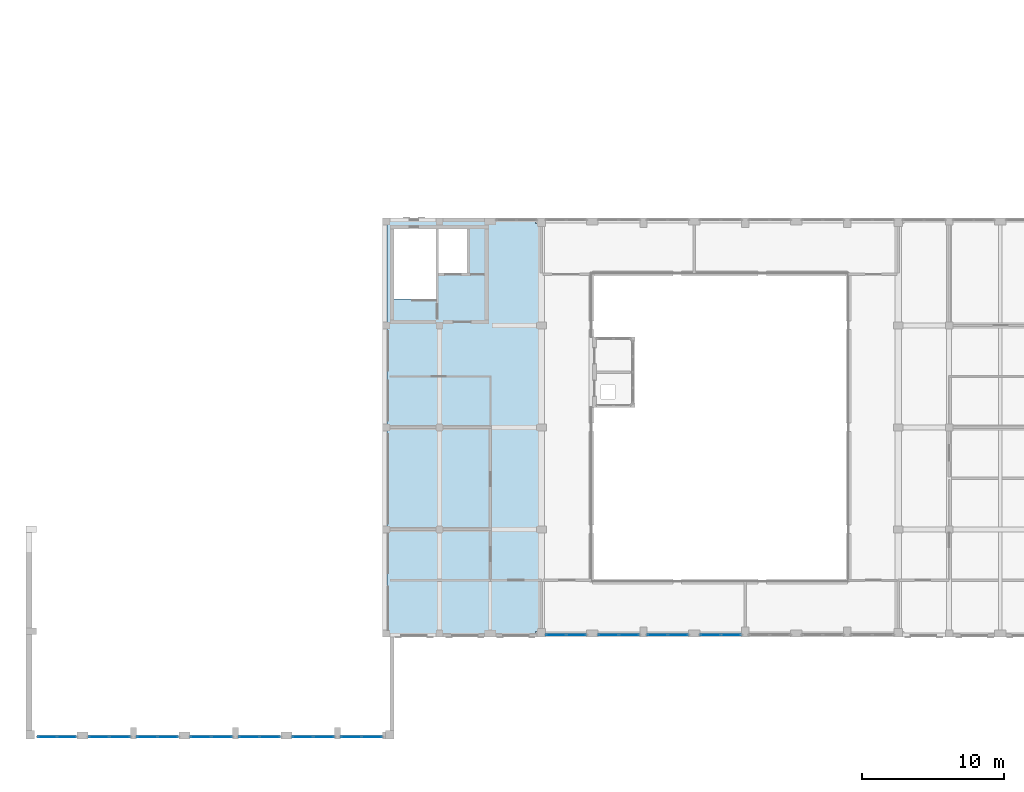
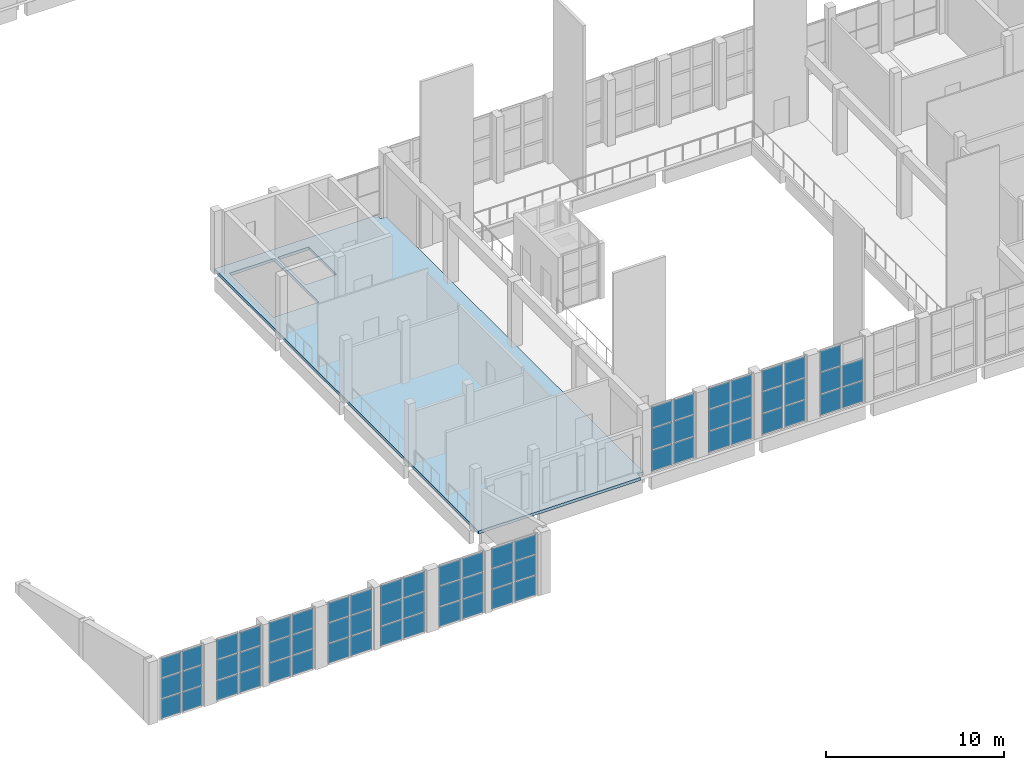
# One storey, part 14 of 54: 65 plates, 1 slab, 11 elements without a shape of their own.
"""IFC4 building model written with IfcOpenShell, lengths in metres."""

from ifc_helpers import new_model, si_unit, direction, frame, origin, origin_2d, place, context, subcontext, project, spatial, polyline, rectangle, outline, extrude, material, layer, layer_set, type_object, element, aggregate, save


model = new_model("IFC4")

# Units and contexts
model_context = context("Model", 3, precision=1e-05, world=origin(), true_north=direction((0.0, 1.0)))
body_context = subcontext(model_context, "Body", "Model", "MODEL_VIEW")
ifc_project = project(units=[si_unit("LENGTHUNIT", "METRE"), si_unit("AREAUNIT", "SQUARE_METRE"), si_unit("VOLUMEUNIT", "CUBIC_METRE"), si_unit("PLANEANGLEUNIT", "RADIAN"), si_unit("MASSUNIT", "GRAM", prefix="KILO")], contexts=[model_context])

# Site, building, storey
site_placement = place(None, origin())
site = spatial("IfcSite", under=ifc_project, at=site_placement, CompositionType="ELEMENT")
building_placement = place(site_placement, origin())
building = spatial("IfcBuilding", under=site, at=building_placement, Name="Ussher Court Research Institute", CompositionType="ELEMENT")
storey_placement = place(building_placement, frame((0.0, 0.0, 14.39990234375)))
storey = spatial("IfcBuildingStorey", under=building, at=storey_placement, Name="L03", CompositionType="ELEMENT", Elevation=14.39990234375)

# Slab
ifc_material_1 = material(Name="Concrete C35/45", Category="concrete")
ifc_layer_1 = layer(ifc_material_1, 0.199951171875)
ifc_layer_set_1 = layer_set([ifc_layer_1], Name="Concrete C35/45")
slab_type = type_object("IfcSlabType", Name="Floor slab 200", PredefinedType="FLOOR", material=ifc_layer_set_1)
slab_placement = place(storey_placement, frame((0.0, 0.0, -0.199951171875)))
element("IfcSlab", 1, at=slab_placement, inside=storey, type_object=slab_type, Name="FS200 V7 L03-02", PredefinedType="FLOOR", context=body_context, shape_type="SweptSolid", body=[
    extrude(outline(polyline([(39.0, 40.0), (38.60009765625, 40.0), (38.60009765625, 40.39990234375), (28.10009765625, 40.39990234375), (28.10009765625, 10.800048828125), (38.60009765625, 10.800048828125), (38.60009765625, 11.199951171875), (39.0, 11.199951171875), (39.0, 40.0)]), holes=[polyline([(31.550048828125, 34.64990234375), (28.60009765625, 34.64990234375), (28.60009765625, 39.60009765625), (31.550048828125, 39.60009765625), (31.550048828125, 34.64990234375)]), polyline([(33.75, 39.60009765625), (33.75, 36.5), (31.75, 36.5), (31.75, 39.60009765625), (33.75, 39.60009765625)])]), origin(), (0.0, 0.0, 1.0), 0.199951171875),
])

# Curtain wall, plates
ifc_material_2 = material(Name="Bronze anodised aluminium with low-e glass", Category="aluminium")
ifc_layer_2 = layer(ifc_material_2, 0.159912109375)
ifc_layer_set_2 = layer_set([ifc_layer_2], Name="Bronze anodised aluminium with low-e glass")
curtain_wall_type_1 = type_object("IfcCurtainWallType", Name="Curtain wall lecture theatre gable glazing", PredefinedType="NOTDEFINED", material=ifc_layer_set_2)
curtain_wall_1_placement = place(storey_placement, origin())
curtain_wall_1 = element("IfcCurtainWall", 2, at=curtain_wall_1_placement, inside=storey, type_object=curtain_wall_type_1, Name="Curtain wall CW5 L03", PredefinedType="NOTDEFINED")
ifc_material_3 = material(Name="Double glazed unit laminated")
ifc_layer_3 = layer(ifc_material_3, 0.035888671875)
ifc_layer_set_3 = layer_set([ifc_layer_3], Name="Double glazed unit laminated")
plate_type = type_object("IfcPlateType", Name="Glazing panel 36 mm", PredefinedType="CURTAIN_PANEL", material=ifc_layer_set_3)
plate_1_placement = place(storey_placement, frame((27.034912109375, 3.75, 0.06005859375), z_axis=(0.0, 0.0, 1.0), x_axis=(-1.0, 0.0, 0.0)))
plate_1 = element("IfcPlate", 3, at=plate_1_placement, type_object=plate_type, Name="CW5 panel 1.1", PredefinedType="CURTAIN_PANEL", context=body_context, shape_type="SweptSolid", body=[
    extrude(rectangle(XDim=1.409912109375, YDim=0.035888671875, at=origin_2d()), origin(), (0.0, 0.0, 1.0), 1.32666015625),
])
plate_2_placement = place(storey_placement, frame((27.034912109375, 3.75, 1.44677734375), z_axis=(0.0, 0.0, 1.0), x_axis=(-1.0, 0.0, 0.0)))
plate_2 = element("IfcPlate", 4, at=plate_2_placement, type_object=plate_type, Name="CW5 panel 1.2", PredefinedType="CURTAIN_PANEL", context=body_context, shape_type="SweptSolid", body=[
    extrude(rectangle(XDim=1.409912109375, YDim=0.035888671875, at=origin_2d()), origin(), (0.0, 0.0, 1.0), 1.356689453125),
])
plate_3_placement = place(storey_placement, frame((27.034912109375, 3.75, 2.863525390625), z_axis=(0.0, 0.0, 1.0), x_axis=(-1.0, 0.0, 0.0)))
plate_3 = element("IfcPlate", 5, at=plate_3_placement, type_object=plate_type, Name="CW5 panel 1.3", PredefinedType="CURTAIN_PANEL", context=body_context, shape_type="SweptSolid", body=[
    extrude(rectangle(XDim=1.409912109375, YDim=0.035888671875, at=origin_2d()), origin(), (0.0, 0.0, 1.0), 1.32666015625),
])
plate_4_placement = place(storey_placement, frame((25.56494140625, 3.75, 0.06005859375), z_axis=(0.0, 0.0, 1.0), x_axis=(-1.0, 0.0, 0.0)))
plate_4 = element("IfcPlate", 6, at=plate_4_placement, type_object=plate_type, Name="CW5 panel 2.1", PredefinedType="CURTAIN_PANEL", context=body_context, shape_type="SweptSolid", body=[
    extrude(rectangle(XDim=1.409912109375, YDim=0.035888671875, at=origin_2d()), origin(), (0.0, 0.0, 1.0), 1.32666015625),
])
plate_5_placement = place(storey_placement, frame((25.56494140625, 3.75, 1.44677734375), z_axis=(0.0, 0.0, 1.0), x_axis=(-1.0, 0.0, 0.0)))
plate_5 = element("IfcPlate", 7, at=plate_5_placement, type_object=plate_type, Name="CW5 panel 2.2", PredefinedType="CURTAIN_PANEL", context=body_context, shape_type="SweptSolid", body=[
    extrude(rectangle(XDim=1.409912109375, YDim=0.035888671875, at=origin_2d()), origin(), (0.0, 0.0, 1.0), 1.356689453125),
])
plate_6_placement = place(storey_placement, frame((25.56494140625, 3.75, 2.863525390625), z_axis=(0.0, 0.0, 1.0), x_axis=(-1.0, 0.0, 0.0)))
plate_6 = element("IfcPlate", 8, at=plate_6_placement, type_object=plate_type, Name="CW5 panel 2.3", PredefinedType="CURTAIN_PANEL", context=body_context, shape_type="SweptSolid", body=[
    extrude(rectangle(XDim=1.409912109375, YDim=0.035888671875, at=origin_2d()), origin(), (0.0, 0.0, 1.0), 1.32666015625),
])
aggregate(curtain_wall_1, [plate_1, plate_2, plate_3, plate_4, plate_5, plate_6])

curtain_wall_2_placement = place(storey_placement, origin())
curtain_wall_2 = element("IfcCurtainWall", 9, at=curtain_wall_2_placement, inside=storey, type_object=curtain_wall_type_1, Name="Curtain wall CW5 L03", PredefinedType="NOTDEFINED")
plate_7_placement = place(storey_placement, frame((23.635009765625, 3.75, 0.06005859375), z_axis=(0.0, 0.0, 1.0), x_axis=(-1.0, 0.0, 0.0)))
plate_7 = element("IfcPlate", 10, at=plate_7_placement, type_object=plate_type, Name="CW5 panel 1.1", PredefinedType="CURTAIN_PANEL", context=body_context, shape_type="SweptSolid", body=[
    extrude(rectangle(XDim=1.409912109375, YDim=0.035888671875, at=origin_2d()), origin(), (0.0, 0.0, 1.0), 1.32666015625),
])
plate_8_placement = place(storey_placement, frame((23.635009765625, 3.75, 1.44677734375), z_axis=(0.0, 0.0, 1.0), x_axis=(-1.0, 0.0, 0.0)))
plate_8 = element("IfcPlate", 11, at=plate_8_placement, type_object=plate_type, Name="CW5 panel 1.2", PredefinedType="CURTAIN_PANEL", context=body_context, shape_type="SweptSolid", body=[
    extrude(rectangle(XDim=1.409912109375, YDim=0.035888671875, at=origin_2d()), origin(), (0.0, 0.0, 1.0), 1.356689453125),
])
plate_9_placement = place(storey_placement, frame((23.635009765625, 3.75, 2.863525390625), z_axis=(0.0, 0.0, 1.0), x_axis=(-1.0, 0.0, 0.0)))
plate_9 = element("IfcPlate", 12, at=plate_9_placement, type_object=plate_type, Name="CW5 panel 1.3", PredefinedType="CURTAIN_PANEL", context=body_context, shape_type="SweptSolid", body=[
    extrude(rectangle(XDim=1.409912109375, YDim=0.035888671875, at=origin_2d()), origin(), (0.0, 0.0, 1.0), 1.32666015625),
])
plate_10_placement = place(storey_placement, frame((22.1650390625, 3.75, 0.06005859375), z_axis=(0.0, 0.0, 1.0), x_axis=(-1.0, 0.0, 0.0)))
plate_10 = element("IfcPlate", 13, at=plate_10_placement, type_object=plate_type, Name="CW5 panel 2.1", PredefinedType="CURTAIN_PANEL", context=body_context, shape_type="SweptSolid", body=[
    extrude(rectangle(XDim=1.409912109375, YDim=0.035888671875, at=origin_2d()), origin(), (0.0, 0.0, 1.0), 1.32666015625),
])
plate_11_placement = place(storey_placement, frame((22.1650390625, 3.75, 1.44677734375), z_axis=(0.0, 0.0, 1.0), x_axis=(-1.0, 0.0, 0.0)))
plate_11 = element("IfcPlate", 14, at=plate_11_placement, type_object=plate_type, Name="CW5 panel 2.2", PredefinedType="CURTAIN_PANEL", context=body_context, shape_type="SweptSolid", body=[
    extrude(rectangle(XDim=1.409912109375, YDim=0.035888671875, at=origin_2d()), origin(), (0.0, 0.0, 1.0), 1.356689453125),
])
plate_12_placement = place(storey_placement, frame((22.1650390625, 3.75, 2.863525390625), z_axis=(0.0, 0.0, 1.0), x_axis=(-1.0, 0.0, 0.0)))
plate_12 = element("IfcPlate", 15, at=plate_12_placement, type_object=plate_type, Name="CW5 panel 2.3", PredefinedType="CURTAIN_PANEL", context=body_context, shape_type="SweptSolid", body=[
    extrude(rectangle(XDim=1.409912109375, YDim=0.035888671875, at=origin_2d()), origin(), (0.0, 0.0, 1.0), 1.32666015625),
])
aggregate(curtain_wall_2, [plate_7, plate_8, plate_9, plate_10, plate_11, plate_12])

curtain_wall_3_placement = place(storey_placement, origin())
curtain_wall_3 = element("IfcCurtainWall", 16, at=curtain_wall_3_placement, inside=storey, type_object=curtain_wall_type_1, Name="Curtain wall CW5 L03", PredefinedType="NOTDEFINED")
plate_13_placement = place(storey_placement, frame((19.8349609375, 3.75, 0.06005859375), z_axis=(0.0, 0.0, 1.0), x_axis=(-1.0, 0.0, 0.0)))
plate_13 = element("IfcPlate", 17, at=plate_13_placement, type_object=plate_type, Name="CW5 panel 1.1", PredefinedType="CURTAIN_PANEL", context=body_context, shape_type="SweptSolid", body=[
    extrude(rectangle(XDim=1.409912109375, YDim=0.035888671875, at=origin_2d()), origin(), (0.0, 0.0, 1.0), 1.32666015625),
])
plate_14_placement = place(storey_placement, frame((19.8349609375, 3.75, 1.44677734375), z_axis=(0.0, 0.0, 1.0), x_axis=(-1.0, 0.0, 0.0)))
plate_14 = element("IfcPlate", 18, at=plate_14_placement, type_object=plate_type, Name="CW5 panel 1.2", PredefinedType="CURTAIN_PANEL", context=body_context, shape_type="SweptSolid", body=[
    extrude(rectangle(XDim=1.409912109375, YDim=0.035888671875, at=origin_2d()), origin(), (0.0, 0.0, 1.0), 1.356689453125),
])
plate_15_placement = place(storey_placement, frame((19.8349609375, 3.75, 2.863525390625), z_axis=(0.0, 0.0, 1.0), x_axis=(-1.0, 0.0, 0.0)))
plate_15 = element("IfcPlate", 19, at=plate_15_placement, type_object=plate_type, Name="CW5 panel 1.3", PredefinedType="CURTAIN_PANEL", context=body_context, shape_type="SweptSolid", body=[
    extrude(rectangle(XDim=1.409912109375, YDim=0.035888671875, at=origin_2d()), origin(), (0.0, 0.0, 1.0), 1.32666015625),
])
plate_16_placement = place(storey_placement, frame((18.364990234375, 3.75, 0.06005859375), z_axis=(0.0, 0.0, 1.0), x_axis=(-1.0, 0.0, 0.0)))
plate_16 = element("IfcPlate", 20, at=plate_16_placement, type_object=plate_type, Name="CW5 panel 2.1", PredefinedType="CURTAIN_PANEL", context=body_context, shape_type="SweptSolid", body=[
    extrude(rectangle(XDim=1.409912109375, YDim=0.035888671875, at=origin_2d()), origin(), (0.0, 0.0, 1.0), 1.32666015625),
])
plate_17_placement = place(storey_placement, frame((18.364990234375, 3.75, 1.44677734375), z_axis=(0.0, 0.0, 1.0), x_axis=(-1.0, 0.0, 0.0)))
plate_17 = element("IfcPlate", 21, at=plate_17_placement, type_object=plate_type, Name="CW5 panel 2.2", PredefinedType="CURTAIN_PANEL", context=body_context, shape_type="SweptSolid", body=[
    extrude(rectangle(XDim=1.409912109375, YDim=0.035888671875, at=origin_2d()), origin(), (0.0, 0.0, 1.0), 1.356689453125),
])
plate_18_placement = place(storey_placement, frame((18.364990234375, 3.75, 2.863525390625), z_axis=(0.0, 0.0, 1.0), x_axis=(-1.0, 0.0, 0.0)))
plate_18 = element("IfcPlate", 22, at=plate_18_placement, type_object=plate_type, Name="CW5 panel 2.3", PredefinedType="CURTAIN_PANEL", context=body_context, shape_type="SweptSolid", body=[
    extrude(rectangle(XDim=1.409912109375, YDim=0.035888671875, at=origin_2d()), origin(), (0.0, 0.0, 1.0), 1.32666015625),
])
aggregate(curtain_wall_3, [plate_13, plate_14, plate_15, plate_16, plate_17, plate_18])

curtain_wall_4_placement = place(storey_placement, origin())
curtain_wall_4 = element("IfcCurtainWall", 23, at=curtain_wall_4_placement, inside=storey, type_object=curtain_wall_type_1, Name="Curtain wall CW5 L03", PredefinedType="NOTDEFINED")
plate_19_placement = place(storey_placement, frame((16.43505859375, 3.75, 0.06005859375), z_axis=(0.0, 0.0, 1.0), x_axis=(-1.0, 0.0, 0.0)))
plate_19 = element("IfcPlate", 24, at=plate_19_placement, type_object=plate_type, Name="CW5 panel 1.1", PredefinedType="CURTAIN_PANEL", context=body_context, shape_type="SweptSolid", body=[
    extrude(rectangle(XDim=1.409912109375, YDim=0.035888671875, at=origin_2d()), origin(), (0.0, 0.0, 1.0), 1.32666015625),
])
plate_20_placement = place(storey_placement, frame((16.43505859375, 3.75, 1.44677734375), z_axis=(0.0, 0.0, 1.0), x_axis=(-1.0, 0.0, 0.0)))
plate_20 = element("IfcPlate", 25, at=plate_20_placement, type_object=plate_type, Name="CW5 panel 1.2", PredefinedType="CURTAIN_PANEL", context=body_context, shape_type="SweptSolid", body=[
    extrude(rectangle(XDim=1.409912109375, YDim=0.035888671875, at=origin_2d()), origin(), (0.0, 0.0, 1.0), 1.356689453125),
])
plate_21_placement = place(storey_placement, frame((16.43505859375, 3.75, 2.863525390625), z_axis=(0.0, 0.0, 1.0), x_axis=(-1.0, 0.0, 0.0)))
plate_21 = element("IfcPlate", 26, at=plate_21_placement, type_object=plate_type, Name="CW5 panel 1.3", PredefinedType="CURTAIN_PANEL", context=body_context, shape_type="SweptSolid", body=[
    extrude(rectangle(XDim=1.409912109375, YDim=0.035888671875, at=origin_2d()), origin(), (0.0, 0.0, 1.0), 1.32666015625),
])
plate_22_placement = place(storey_placement, frame((14.965087890625, 3.75, 0.06005859375), z_axis=(0.0, 0.0, 1.0), x_axis=(-1.0, 0.0, 0.0)))
plate_22 = element("IfcPlate", 27, at=plate_22_placement, type_object=plate_type, Name="CW5 panel 2.1", PredefinedType="CURTAIN_PANEL", context=body_context, shape_type="SweptSolid", body=[
    extrude(rectangle(XDim=1.409912109375, YDim=0.035888671875, at=origin_2d()), origin(), (0.0, 0.0, 1.0), 1.32666015625),
])
plate_23_placement = place(storey_placement, frame((14.965087890625, 3.75, 1.44677734375), z_axis=(0.0, 0.0, 1.0), x_axis=(-1.0, 0.0, 0.0)))
plate_23 = element("IfcPlate", 28, at=plate_23_placement, type_object=plate_type, Name="CW5 panel 2.2", PredefinedType="CURTAIN_PANEL", context=body_context, shape_type="SweptSolid", body=[
    extrude(rectangle(XDim=1.409912109375, YDim=0.035888671875, at=origin_2d()), origin(), (0.0, 0.0, 1.0), 1.356689453125),
])
plate_24_placement = place(storey_placement, frame((14.965087890625, 3.75, 2.863525390625), z_axis=(0.0, 0.0, 1.0), x_axis=(-1.0, 0.0, 0.0)))
plate_24 = element("IfcPlate", 29, at=plate_24_placement, type_object=plate_type, Name="CW5 panel 2.3", PredefinedType="CURTAIN_PANEL", context=body_context, shape_type="SweptSolid", body=[
    extrude(rectangle(XDim=1.409912109375, YDim=0.035888671875, at=origin_2d()), origin(), (0.0, 0.0, 1.0), 1.32666015625),
])
aggregate(curtain_wall_4, [plate_19, plate_20, plate_21, plate_22, plate_23, plate_24])

curtain_wall_5_placement = place(storey_placement, origin())
curtain_wall_5 = element("IfcCurtainWall", 30, at=curtain_wall_5_placement, inside=storey, type_object=curtain_wall_type_1, Name="Curtain wall CW5 L03", PredefinedType="NOTDEFINED")
plate_25_placement = place(storey_placement, frame((12.635009765625, 3.75, 0.06005859375), z_axis=(0.0, 0.0, 1.0), x_axis=(-1.0, 0.0, 0.0)))
plate_25 = element("IfcPlate", 31, at=plate_25_placement, type_object=plate_type, Name="CW5 panel 1.1", PredefinedType="CURTAIN_PANEL", context=body_context, shape_type="SweptSolid", body=[
    extrude(rectangle(XDim=1.409912109375, YDim=0.035888671875, at=origin_2d()), origin(), (0.0, 0.0, 1.0), 1.32666015625),
])
plate_26_placement = place(storey_placement, frame((12.635009765625, 3.75, 1.44677734375), z_axis=(0.0, 0.0, 1.0), x_axis=(-1.0, 0.0, 0.0)))
plate_26 = element("IfcPlate", 32, at=plate_26_placement, type_object=plate_type, Name="CW5 panel 1.2", PredefinedType="CURTAIN_PANEL", context=body_context, shape_type="SweptSolid", body=[
    extrude(rectangle(XDim=1.409912109375, YDim=0.035888671875, at=origin_2d()), origin(), (0.0, 0.0, 1.0), 1.356689453125),
])
plate_27_placement = place(storey_placement, frame((12.635009765625, 3.75, 2.863525390625), z_axis=(0.0, 0.0, 1.0), x_axis=(-1.0, 0.0, 0.0)))
plate_27 = element("IfcPlate", 33, at=plate_27_placement, type_object=plate_type, Name="CW5 panel 1.3", PredefinedType="CURTAIN_PANEL", context=body_context, shape_type="SweptSolid", body=[
    extrude(rectangle(XDim=1.409912109375, YDim=0.035888671875, at=origin_2d()), origin(), (0.0, 0.0, 1.0), 1.32666015625),
])
plate_28_placement = place(storey_placement, frame((11.1650390625, 3.75, 0.06005859375), z_axis=(0.0, 0.0, 1.0), x_axis=(-1.0, 0.0, 0.0)))
plate_28 = element("IfcPlate", 34, at=plate_28_placement, type_object=plate_type, Name="CW5 panel 2.1", PredefinedType="CURTAIN_PANEL", context=body_context, shape_type="SweptSolid", body=[
    extrude(rectangle(XDim=1.409912109375, YDim=0.035888671875, at=origin_2d()), origin(), (0.0, 0.0, 1.0), 1.32666015625),
])
plate_29_placement = place(storey_placement, frame((11.1650390625, 3.75, 1.44677734375), z_axis=(0.0, 0.0, 1.0), x_axis=(-1.0, 0.0, 0.0)))
plate_29 = element("IfcPlate", 35, at=plate_29_placement, type_object=plate_type, Name="CW5 panel 2.2", PredefinedType="CURTAIN_PANEL", context=body_context, shape_type="SweptSolid", body=[
    extrude(rectangle(XDim=1.409912109375, YDim=0.035888671875, at=origin_2d()), origin(), (0.0, 0.0, 1.0), 1.356689453125),
])
plate_30_placement = place(storey_placement, frame((11.1650390625, 3.75, 2.863525390625), z_axis=(0.0, 0.0, 1.0), x_axis=(-1.0, 0.0, 0.0)))
plate_30 = element("IfcPlate", 36, at=plate_30_placement, type_object=plate_type, Name="CW5 panel 2.3", PredefinedType="CURTAIN_PANEL", context=body_context, shape_type="SweptSolid", body=[
    extrude(rectangle(XDim=1.409912109375, YDim=0.035888671875, at=origin_2d()), origin(), (0.0, 0.0, 1.0), 1.32666015625),
])
aggregate(curtain_wall_5, [plate_25, plate_26, plate_27, plate_28, plate_29, plate_30])

curtain_wall_6_placement = place(storey_placement, origin())
curtain_wall_6 = element("IfcCurtainWall", 37, at=curtain_wall_6_placement, inside=storey, type_object=curtain_wall_type_1, Name="Curtain wall CW5 L03", PredefinedType="NOTDEFINED")
plate_31_placement = place(storey_placement, frame((9.235107421875, 3.75, 0.06005859375), z_axis=(0.0, 0.0, 1.0), x_axis=(-1.0, 0.0, 0.0)))
plate_31 = element("IfcPlate", 38, at=plate_31_placement, type_object=plate_type, Name="CW5 panel 1.1", PredefinedType="CURTAIN_PANEL", context=body_context, shape_type="SweptSolid", body=[
    extrude(rectangle(XDim=1.409912109375, YDim=0.035888671875, at=origin_2d()), origin(), (0.0, 0.0, 1.0), 1.32666015625),
])
plate_32_placement = place(storey_placement, frame((9.235107421875, 3.75, 1.44677734375), z_axis=(0.0, 0.0, 1.0), x_axis=(-1.0, 0.0, 0.0)))
plate_32 = element("IfcPlate", 39, at=plate_32_placement, type_object=plate_type, Name="CW5 panel 1.2", PredefinedType="CURTAIN_PANEL", context=body_context, shape_type="SweptSolid", body=[
    extrude(rectangle(XDim=1.409912109375, YDim=0.035888671875, at=origin_2d()), origin(), (0.0, 0.0, 1.0), 1.356689453125),
])
plate_33_placement = place(storey_placement, frame((9.235107421875, 3.75, 2.863525390625), z_axis=(0.0, 0.0, 1.0), x_axis=(-1.0, 0.0, 0.0)))
plate_33 = element("IfcPlate", 40, at=plate_33_placement, type_object=plate_type, Name="CW5 panel 1.3", PredefinedType="CURTAIN_PANEL", context=body_context, shape_type="SweptSolid", body=[
    extrude(rectangle(XDim=1.409912109375, YDim=0.035888671875, at=origin_2d()), origin(), (0.0, 0.0, 1.0), 1.32666015625),
])
plate_34_placement = place(storey_placement, frame((7.764892578125, 3.75, 0.06005859375), z_axis=(0.0, 0.0, 1.0), x_axis=(-1.0, 0.0, 0.0)))
plate_34 = element("IfcPlate", 41, at=plate_34_placement, type_object=plate_type, Name="CW5 panel 2.1", PredefinedType="CURTAIN_PANEL", context=body_context, shape_type="SweptSolid", body=[
    extrude(rectangle(XDim=1.409912109375, YDim=0.035888671875, at=origin_2d()), origin(), (0.0, 0.0, 1.0), 1.32666015625),
])
plate_35_placement = place(storey_placement, frame((7.764892578125, 3.75, 1.44677734375), z_axis=(0.0, 0.0, 1.0), x_axis=(-1.0, 0.0, 0.0)))
plate_35 = element("IfcPlate", 42, at=plate_35_placement, type_object=plate_type, Name="CW5 panel 2.2", PredefinedType="CURTAIN_PANEL", context=body_context, shape_type="SweptSolid", body=[
    extrude(rectangle(XDim=1.409912109375, YDim=0.035888671875, at=origin_2d()), origin(), (0.0, 0.0, 1.0), 1.356689453125),
])
plate_36_placement = place(storey_placement, frame((7.764892578125, 3.75, 2.863525390625), z_axis=(0.0, 0.0, 1.0), x_axis=(-1.0, 0.0, 0.0)))
plate_36 = element("IfcPlate", 43, at=plate_36_placement, type_object=plate_type, Name="CW5 panel 2.3", PredefinedType="CURTAIN_PANEL", context=body_context, shape_type="SweptSolid", body=[
    extrude(rectangle(XDim=1.409912109375, YDim=0.035888671875, at=origin_2d()), origin(), (0.0, 0.0, 1.0), 1.32666015625),
])
aggregate(curtain_wall_6, [plate_31, plate_32, plate_33, plate_34, plate_35, plate_36])

curtain_wall_7_placement = place(storey_placement, origin())
curtain_wall_7 = element("IfcCurtainWall", 44, at=curtain_wall_7_placement, inside=storey, type_object=curtain_wall_type_1, Name="Curtain wall CW5 L03", PredefinedType="NOTDEFINED")
plate_37_placement = place(storey_placement, frame((5.485107421875, 3.75, 0.06005859375), z_axis=(0.0, 0.0, 1.0), x_axis=(-1.0, 0.0, 0.0)))
plate_37 = element("IfcPlate", 45, at=plate_37_placement, type_object=plate_type, Name="CW5 panel 1.1", PredefinedType="CURTAIN_PANEL", context=body_context, shape_type="SweptSolid", body=[
    extrude(rectangle(XDim=1.31005859375, YDim=0.035888671875, at=origin_2d()), origin(), (0.0, 0.0, 1.0), 1.32666015625),
])
plate_38_placement = place(storey_placement, frame((5.485107421875, 3.75, 1.44677734375), z_axis=(0.0, 0.0, 1.0), x_axis=(-1.0, 0.0, 0.0)))
plate_38 = element("IfcPlate", 46, at=plate_38_placement, type_object=plate_type, Name="CW5 panel 1.2", PredefinedType="CURTAIN_PANEL", context=body_context, shape_type="SweptSolid", body=[
    extrude(rectangle(XDim=1.31005859375, YDim=0.035888671875, at=origin_2d()), origin(), (0.0, 0.0, 1.0), 1.356689453125),
])
plate_39_placement = place(storey_placement, frame((5.485107421875, 3.75, 2.863525390625), z_axis=(0.0, 0.0, 1.0), x_axis=(-1.0, 0.0, 0.0)))
plate_39 = element("IfcPlate", 47, at=plate_39_placement, type_object=plate_type, Name="CW5 panel 1.3", PredefinedType="CURTAIN_PANEL", context=body_context, shape_type="SweptSolid", body=[
    extrude(rectangle(XDim=1.31005859375, YDim=0.035888671875, at=origin_2d()), origin(), (0.0, 0.0, 1.0), 1.32666015625),
])
plate_40_placement = place(storey_placement, frame((4.114990234375, 3.75, 0.06005859375), z_axis=(0.0, 0.0, 1.0), x_axis=(-1.0, 0.0, 0.0)))
plate_40 = element("IfcPlate", 48, at=plate_40_placement, type_object=plate_type, Name="CW5 panel 2.1", PredefinedType="CURTAIN_PANEL", context=body_context, shape_type="SweptSolid", body=[
    extrude(rectangle(XDim=1.31005859375, YDim=0.035888671875, at=origin_2d()), origin(), (0.0, 0.0, 1.0), 1.32666015625),
])
plate_41_placement = place(storey_placement, frame((4.114990234375, 3.75, 1.44677734375), z_axis=(0.0, 0.0, 1.0), x_axis=(-1.0, 0.0, 0.0)))
plate_41 = element("IfcPlate", 49, at=plate_41_placement, type_object=plate_type, Name="CW5 panel 2.2", PredefinedType="CURTAIN_PANEL", context=body_context, shape_type="SweptSolid", body=[
    extrude(rectangle(XDim=1.31005859375, YDim=0.035888671875, at=origin_2d()), origin(), (0.0, 0.0, 1.0), 1.356689453125),
])
plate_42_placement = place(storey_placement, frame((4.114990234375, 3.75, 2.863525390625), z_axis=(0.0, 0.0, 1.0), x_axis=(-1.0, 0.0, 0.0)))
plate_42 = element("IfcPlate", 50, at=plate_42_placement, type_object=plate_type, Name="CW5 panel 2.3", PredefinedType="CURTAIN_PANEL", context=body_context, shape_type="SweptSolid", body=[
    extrude(rectangle(XDim=1.31005859375, YDim=0.035888671875, at=origin_2d()), origin(), (0.0, 0.0, 1.0), 1.32666015625),
])
aggregate(curtain_wall_7, [plate_37, plate_38, plate_39, plate_40, plate_41, plate_42])

ifc_material_4 = material(Name="Bronze anodised aluminium with low-e glass", Category="aluminium")
ifc_layer_4 = layer(ifc_material_4, 0.159912109375)
ifc_layer_set_4 = layer_set([ifc_layer_4], Name="Bronze anodised aluminium with low-e glass")
curtain_wall_type_2 = type_object("IfcCurtainWallType", Name="Curtain wall atrium clerestory tall glazing", PredefinedType="NOTDEFINED", material=ifc_layer_set_4)
curtain_wall_8_placement = place(storey_placement, origin())
curtain_wall_8 = element("IfcCurtainWall", 51, at=curtain_wall_8_placement, inside=storey, type_object=curtain_wall_type_2, Name="Curtain wall CW3 L03", PredefinedType="NOTDEFINED")
plate_43_placement = place(storey_placement, frame((52.3974609375, 10.949951171875, 0.06005859375), z_axis=(0.0, 0.0, 1.0), x_axis=(-1.0, 0.0, 0.0)))
plate_43 = element("IfcPlate", 52, at=plate_43_placement, type_object=plate_type, Name="CW3 panel 1.1", PredefinedType="CURTAIN_PANEL", context=body_context, shape_type="SweptSolid", body=[
    extrude(rectangle(XDim=1.385009765625, YDim=0.035888671875, at=origin_2d()), origin(), (0.0, 0.0, 1.0), 1.409912109375),
])
plate_44_placement = place(storey_placement, frame((52.3974609375, 10.949951171875, 1.530029296875), z_axis=(0.0, 0.0, 1.0), x_axis=(-1.0, 0.0, 0.0)))
plate_44 = element("IfcPlate", 53, at=plate_44_placement, type_object=plate_type, Name="CW3 panel 1.2", PredefinedType="CURTAIN_PANEL", context=body_context, shape_type="SweptSolid", body=[
    extrude(rectangle(XDim=1.385009765625, YDim=0.035888671875, at=origin_2d()), origin(), (0.0, 0.0, 1.0), 1.43994140625),
])
plate_45_placement = place(storey_placement, frame((50.952392578125, 10.949951171875, 0.06005859375), z_axis=(0.0, 0.0, 1.0), x_axis=(-1.0, 0.0, 0.0)))
plate_45 = element("IfcPlate", 54, at=plate_45_placement, type_object=plate_type, Name="CW3 panel 2.1", PredefinedType="CURTAIN_PANEL", context=body_context, shape_type="SweptSolid", body=[
    extrude(rectangle(XDim=1.385009765625, YDim=0.035888671875, at=origin_2d()), origin(), (0.0, 0.0, 1.0), 1.409912109375),
])
plate_46_placement = place(storey_placement, frame((50.952392578125, 10.949951171875, 1.530029296875), z_axis=(0.0, 0.0, 1.0), x_axis=(-1.0, 0.0, 0.0)))
plate_46 = element("IfcPlate", 55, at=plate_46_placement, type_object=plate_type, Name="CW3 panel 2.2", PredefinedType="CURTAIN_PANEL", context=body_context, shape_type="SweptSolid", body=[
    extrude(rectangle(XDim=1.385009765625, YDim=0.035888671875, at=origin_2d()), origin(), (0.0, 0.0, 1.0), 1.43994140625),
])
plate_47_placement = place(storey_placement, frame((50.952392578125, 10.949951171875, 3.0302734375), z_axis=(0.0, 0.0, 1.0), x_axis=(-1.0, 0.0, 0.0)))
plate_47 = element("IfcPlate", 56, at=plate_47_placement, type_object=plate_type, Name="CW3 panel 2.3", PredefinedType="CURTAIN_PANEL", context=body_context, shape_type="SweptSolid", body=[
    extrude(rectangle(XDim=1.385009765625, YDim=0.035888671875, at=origin_2d()), origin(), (0.0, 0.0, 1.0), 1.409912109375),
])
aggregate(curtain_wall_8, [plate_43, plate_44, plate_45, plate_46, plate_47])

curtain_wall_9_placement = place(storey_placement, origin())
curtain_wall_9 = element("IfcCurtainWall", 57, at=curtain_wall_9_placement, inside=storey, type_object=curtain_wall_type_2, Name="Curtain wall CW3 L03", PredefinedType="NOTDEFINED")
plate_48_placement = place(storey_placement, frame((48.6474609375, 10.949951171875, 0.06005859375), z_axis=(0.0, 0.0, 1.0), x_axis=(-1.0, 0.0, 0.0)))
plate_48 = element("IfcPlate", 58, at=plate_48_placement, type_object=plate_type, Name="CW3 panel 1.1", PredefinedType="CURTAIN_PANEL", context=body_context, shape_type="SweptSolid", body=[
    extrude(rectangle(XDim=1.385009765625, YDim=0.035888671875, at=origin_2d()), origin(), (0.0, 0.0, 1.0), 1.409912109375),
])
plate_49_placement = place(storey_placement, frame((48.6474609375, 10.949951171875, 1.530029296875), z_axis=(0.0, 0.0, 1.0), x_axis=(-1.0, 0.0, 0.0)))
plate_49 = element("IfcPlate", 59, at=plate_49_placement, type_object=plate_type, Name="CW3 panel 1.2", PredefinedType="CURTAIN_PANEL", context=body_context, shape_type="SweptSolid", body=[
    extrude(rectangle(XDim=1.385009765625, YDim=0.035888671875, at=origin_2d()), origin(), (0.0, 0.0, 1.0), 1.43994140625),
])
plate_50_placement = place(storey_placement, frame((48.6474609375, 10.949951171875, 3.0302734375), z_axis=(0.0, 0.0, 1.0), x_axis=(-1.0, 0.0, 0.0)))
plate_50 = element("IfcPlate", 60, at=plate_50_placement, type_object=plate_type, Name="CW3 panel 1.3", PredefinedType="CURTAIN_PANEL", context=body_context, shape_type="SweptSolid", body=[
    extrude(rectangle(XDim=1.385009765625, YDim=0.035888671875, at=origin_2d()), origin(), (0.0, 0.0, 1.0), 1.409912109375),
])
plate_51_placement = place(storey_placement, frame((47.202392578125, 10.949951171875, 0.06005859375), z_axis=(0.0, 0.0, 1.0), x_axis=(-1.0, 0.0, 0.0)))
plate_51 = element("IfcPlate", 61, at=plate_51_placement, type_object=plate_type, Name="CW3 panel 2.1", PredefinedType="CURTAIN_PANEL", context=body_context, shape_type="SweptSolid", body=[
    extrude(rectangle(XDim=1.385009765625, YDim=0.035888671875, at=origin_2d()), origin(), (0.0, 0.0, 1.0), 1.409912109375),
])
plate_52_placement = place(storey_placement, frame((47.202392578125, 10.949951171875, 1.530029296875), z_axis=(0.0, 0.0, 1.0), x_axis=(-1.0, 0.0, 0.0)))
plate_52 = element("IfcPlate", 62, at=plate_52_placement, type_object=plate_type, Name="CW3 panel 2.2", PredefinedType="CURTAIN_PANEL", context=body_context, shape_type="SweptSolid", body=[
    extrude(rectangle(XDim=1.385009765625, YDim=0.035888671875, at=origin_2d()), origin(), (0.0, 0.0, 1.0), 1.43994140625),
])
plate_53_placement = place(storey_placement, frame((47.202392578125, 10.949951171875, 3.0302734375), z_axis=(0.0, 0.0, 1.0), x_axis=(-1.0, 0.0, 0.0)))
plate_53 = element("IfcPlate", 63, at=plate_53_placement, type_object=plate_type, Name="CW3 panel 2.3", PredefinedType="CURTAIN_PANEL", context=body_context, shape_type="SweptSolid", body=[
    extrude(rectangle(XDim=1.385009765625, YDim=0.035888671875, at=origin_2d()), origin(), (0.0, 0.0, 1.0), 1.409912109375),
])
aggregate(curtain_wall_9, [plate_48, plate_49, plate_50, plate_51, plate_52, plate_53])

curtain_wall_10_placement = place(storey_placement, origin())
curtain_wall_10 = element("IfcCurtainWall", 64, at=curtain_wall_10_placement, inside=storey, type_object=curtain_wall_type_2, Name="Curtain wall CW3 L03", PredefinedType="NOTDEFINED")
plate_54_placement = place(storey_placement, frame((45.197509765625, 10.949951171875, 0.06005859375), z_axis=(0.0, 0.0, 1.0), x_axis=(-1.0, 0.0, 0.0)))
plate_54 = element("IfcPlate", 65, at=plate_54_placement, type_object=plate_type, Name="CW3 panel 1.1", PredefinedType="CURTAIN_PANEL", context=body_context, shape_type="SweptSolid", body=[
    extrude(rectangle(XDim=1.385009765625, YDim=0.035888671875, at=origin_2d()), origin(), (0.0, 0.0, 1.0), 1.409912109375),
])
plate_55_placement = place(storey_placement, frame((45.197509765625, 10.949951171875, 1.530029296875), z_axis=(0.0, 0.0, 1.0), x_axis=(-1.0, 0.0, 0.0)))
plate_55 = element("IfcPlate", 66, at=plate_55_placement, type_object=plate_type, Name="CW3 panel 1.2", PredefinedType="CURTAIN_PANEL", context=body_context, shape_type="SweptSolid", body=[
    extrude(rectangle(XDim=1.385009765625, YDim=0.035888671875, at=origin_2d()), origin(), (0.0, 0.0, 1.0), 1.43994140625),
])
plate_56_placement = place(storey_placement, frame((45.197509765625, 10.949951171875, 3.0302734375), z_axis=(0.0, 0.0, 1.0), x_axis=(-1.0, 0.0, 0.0)))
plate_56 = element("IfcPlate", 67, at=plate_56_placement, type_object=plate_type, Name="CW3 panel 1.3", PredefinedType="CURTAIN_PANEL", context=body_context, shape_type="SweptSolid", body=[
    extrude(rectangle(XDim=1.385009765625, YDim=0.035888671875, at=origin_2d()), origin(), (0.0, 0.0, 1.0), 1.409912109375),
])
plate_57_placement = place(storey_placement, frame((43.75244140625, 10.949951171875, 0.06005859375), z_axis=(0.0, 0.0, 1.0), x_axis=(-1.0, 0.0, 0.0)))
plate_57 = element("IfcPlate", 68, at=plate_57_placement, type_object=plate_type, Name="CW3 panel 2.1", PredefinedType="CURTAIN_PANEL", context=body_context, shape_type="SweptSolid", body=[
    extrude(rectangle(XDim=1.385009765625, YDim=0.035888671875, at=origin_2d()), origin(), (0.0, 0.0, 1.0), 1.409912109375),
])
plate_58_placement = place(storey_placement, frame((43.75244140625, 10.949951171875, 1.530029296875), z_axis=(0.0, 0.0, 1.0), x_axis=(-1.0, 0.0, 0.0)))
plate_58 = element("IfcPlate", 69, at=plate_58_placement, type_object=plate_type, Name="CW3 panel 2.2", PredefinedType="CURTAIN_PANEL", context=body_context, shape_type="SweptSolid", body=[
    extrude(rectangle(XDim=1.385009765625, YDim=0.035888671875, at=origin_2d()), origin(), (0.0, 0.0, 1.0), 1.43994140625),
])
plate_59_placement = place(storey_placement, frame((43.75244140625, 10.949951171875, 3.0302734375), z_axis=(0.0, 0.0, 1.0), x_axis=(-1.0, 0.0, 0.0)))
plate_59 = element("IfcPlate", 70, at=plate_59_placement, type_object=plate_type, Name="CW3 panel 2.3", PredefinedType="CURTAIN_PANEL", context=body_context, shape_type="SweptSolid", body=[
    extrude(rectangle(XDim=1.385009765625, YDim=0.035888671875, at=origin_2d()), origin(), (0.0, 0.0, 1.0), 1.409912109375),
])
aggregate(curtain_wall_10, [plate_54, plate_55, plate_56, plate_57, plate_58, plate_59])

curtain_wall_11_placement = place(storey_placement, origin())
curtain_wall_11 = element("IfcCurtainWall", 71, at=curtain_wall_11_placement, inside=storey, type_object=curtain_wall_type_2, Name="Curtain wall CW3 L03", PredefinedType="NOTDEFINED")
plate_60_placement = place(storey_placement, frame((41.4599609375, 10.949951171875, 0.06005859375), z_axis=(0.0, 0.0, 1.0), x_axis=(-1.0, 0.0, 0.0)))
plate_60 = element("IfcPlate", 72, at=plate_60_placement, type_object=plate_type, Name="CW3 panel 1.1", PredefinedType="CURTAIN_PANEL", context=body_context, shape_type="SweptSolid", body=[
    extrude(rectangle(XDim=1.360107421875, YDim=0.035888671875, at=origin_2d()), origin(), (0.0, 0.0, 1.0), 1.409912109375),
])
plate_61_placement = place(storey_placement, frame((41.4599609375, 10.949951171875, 1.530029296875), z_axis=(0.0, 0.0, 1.0), x_axis=(-1.0, 0.0, 0.0)))
plate_61 = element("IfcPlate", 73, at=plate_61_placement, type_object=plate_type, Name="CW3 panel 1.2", PredefinedType="CURTAIN_PANEL", context=body_context, shape_type="SweptSolid", body=[
    extrude(rectangle(XDim=1.360107421875, YDim=0.035888671875, at=origin_2d()), origin(), (0.0, 0.0, 1.0), 1.43994140625),
])
plate_62_placement = place(storey_placement, frame((41.4599609375, 10.949951171875, 3.0302734375), z_axis=(0.0, 0.0, 1.0), x_axis=(-1.0, 0.0, 0.0)))
plate_62 = element("IfcPlate", 74, at=plate_62_placement, type_object=plate_type, Name="CW3 panel 1.3", PredefinedType="CURTAIN_PANEL", context=body_context, shape_type="SweptSolid", body=[
    extrude(rectangle(XDim=1.360107421875, YDim=0.035888671875, at=origin_2d()), origin(), (0.0, 0.0, 1.0), 1.409912109375),
])
plate_63_placement = place(storey_placement, frame((40.0400390625, 10.949951171875, 0.06005859375), z_axis=(0.0, 0.0, 1.0), x_axis=(-1.0, 0.0, 0.0)))
plate_63 = element("IfcPlate", 75, at=plate_63_placement, type_object=plate_type, Name="CW3 panel 2.1", PredefinedType="CURTAIN_PANEL", context=body_context, shape_type="SweptSolid", body=[
    extrude(rectangle(XDim=1.360107421875, YDim=0.035888671875, at=origin_2d()), origin(), (0.0, 0.0, 1.0), 1.409912109375),
])
plate_64_placement = place(storey_placement, frame((40.0400390625, 10.949951171875, 1.530029296875), z_axis=(0.0, 0.0, 1.0), x_axis=(-1.0, 0.0, 0.0)))
plate_64 = element("IfcPlate", 76, at=plate_64_placement, type_object=plate_type, Name="CW3 panel 2.2", PredefinedType="CURTAIN_PANEL", context=body_context, shape_type="SweptSolid", body=[
    extrude(rectangle(XDim=1.360107421875, YDim=0.035888671875, at=origin_2d()), origin(), (0.0, 0.0, 1.0), 1.43994140625),
])
plate_65_placement = place(storey_placement, frame((40.0400390625, 10.949951171875, 3.0302734375), z_axis=(0.0, 0.0, 1.0), x_axis=(-1.0, 0.0, 0.0)))
plate_65 = element("IfcPlate", 77, at=plate_65_placement, type_object=plate_type, Name="CW3 panel 2.3", PredefinedType="CURTAIN_PANEL", context=body_context, shape_type="SweptSolid", body=[
    extrude(rectangle(XDim=1.360107421875, YDim=0.035888671875, at=origin_2d()), origin(), (0.0, 0.0, 1.0), 1.409912109375),
])
aggregate(curtain_wall_11, [plate_60, plate_61, plate_62, plate_63, plate_64, plate_65])

save(model, "model.ifc")
